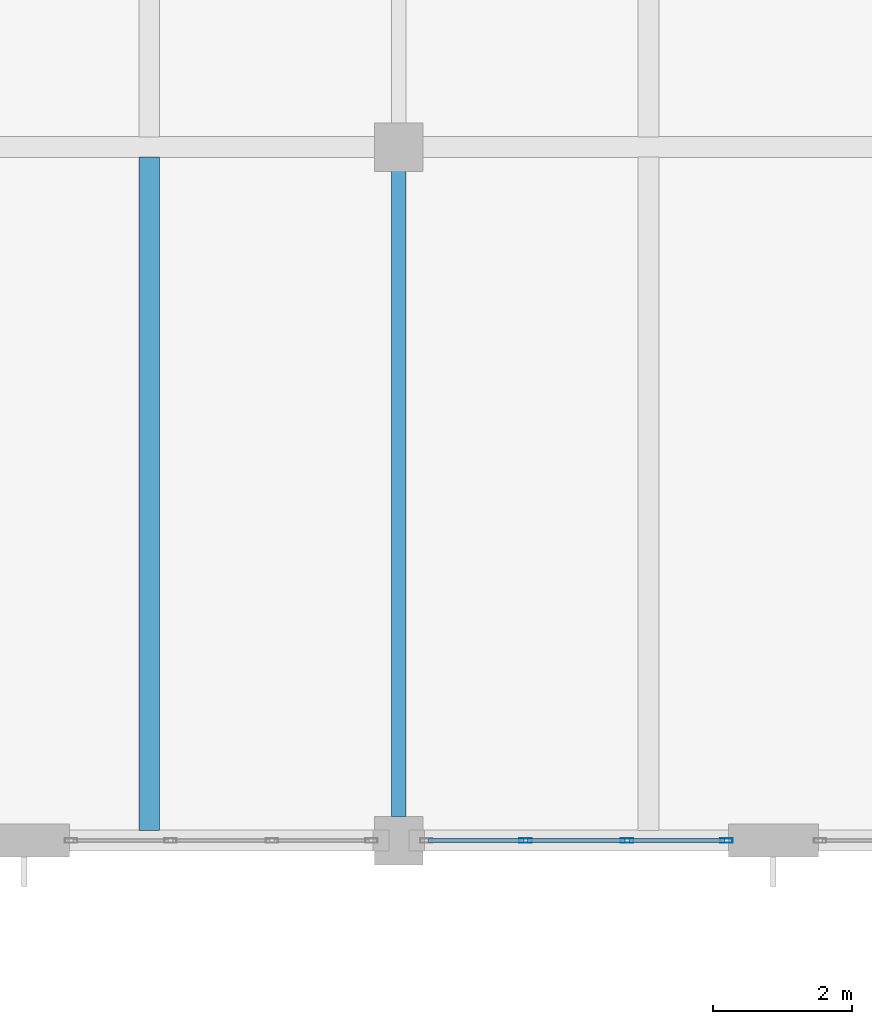
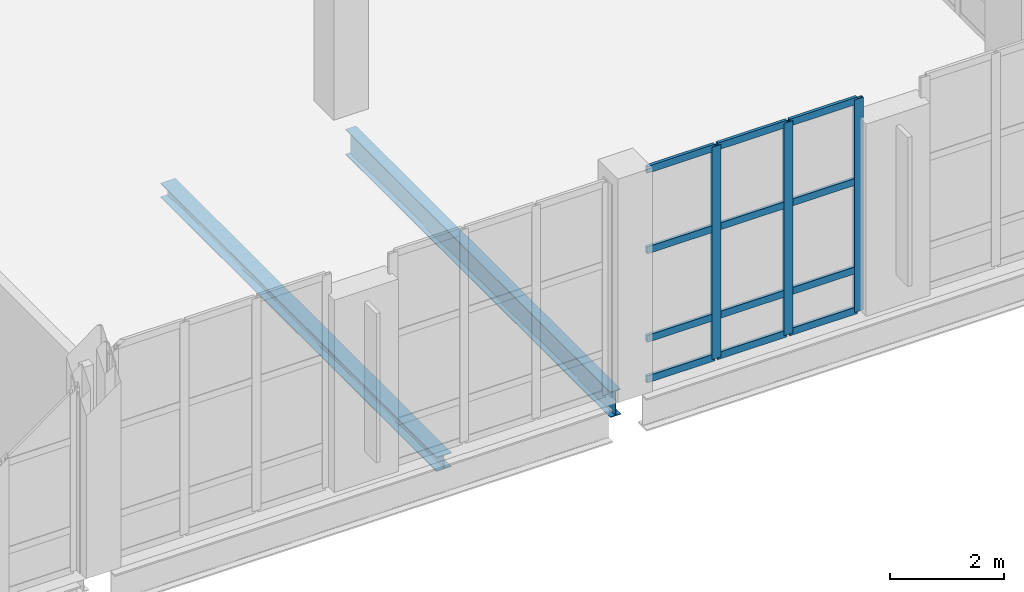
# One storey, part 47 of 92: 15 members, 2 beams, 1 element without a shape of its own.
"""IFC4 building model written with IfcOpenShell, lengths in metres."""

from ifc_helpers import new_model, si_unit, direction, frame, origin, origin_2d, place, context, subcontext, project, spatial, hollow_rectangle, i_section, extrude, material, layer, layer_set, material_profile, profile_set, type_object, element, aggregate, save


model = new_model("IFC4")

# Units and contexts
model_context = context("Model", 3, precision=1e-05, world=origin(), true_north=direction((0.0, 1.0)))
body_context = subcontext(model_context, "Body", "Model", "MODEL_VIEW")
ifc_project = project(units=[si_unit("LENGTHUNIT", "METRE"), si_unit("AREAUNIT", "SQUARE_METRE"), si_unit("VOLUMEUNIT", "CUBIC_METRE"), si_unit("PLANEANGLEUNIT", "RADIAN"), si_unit("MASSUNIT", "GRAM", prefix="KILO")], contexts=[model_context])

# Site, building, storey
site_placement = place(None, origin())
site = spatial("IfcSite", under=ifc_project, at=site_placement, CompositionType="ELEMENT")
building_placement = place(site_placement, origin())
building = spatial("IfcBuilding", under=site, at=building_placement, Name="Tasgan Crest Museum", CompositionType="ELEMENT")
storey_placement = place(building_placement, frame((0.0, 0.0, 4.800048828125)))
storey = spatial("IfcBuildingStorey", under=building, at=storey_placement, Name="L01", CompositionType="ELEMENT", Elevation=4.800048828125)

# Beams
ifc_material_1 = material(Name="Steel S355J2", Category="steel")
ifc_material_profile_1 = material_profile(ifc_material_1, i_section(OverallWidth=0.2099609375, OverallDepth=0.550048828125, WebThickness=0.010986328125, FlangeThickness=0.01708984375, FilletRadius=0.02392578125, at=origin_2d()), Name="IPE 550")
ifc_profile_set_1 = profile_set([ifc_material_profile_1], Name="Steel S355J2")
beam_type_1 = type_object("IfcBeamType", Name="BM-G-IPE550", PredefinedType="BEAM", material=ifc_profile_set_1)
beam_1_placement = place(storey_placement, frame((140.39990234375, 10.344970703125, -0.554931640625), z_axis=(0.0, 1.0, 0.0), x_axis=(-1.0, 0.0, 0.0)))
element("IfcBeam", 1, at=beam_1_placement, inside=storey, type_object=beam_type_1, Name="Beam L01 14 10.0-20.0", PredefinedType="BEAM", context=body_context, shape_type="SweptSolid", body=[
    extrude(i_section(OverallWidth=0.2099609375, OverallDepth=0.550048828125, WebThickness=0.010986328125, FlangeThickness=0.01708984375, FilletRadius=0.02392578125, at=origin_2d()), origin(), (0.0, 0.0, 1.0), 9.31005859375),
])
ifc_material_2 = material(Name="Steel S355J2", Category="steel")
ifc_material_profile_2 = material_profile(ifc_material_2, i_section(OverallWidth=0.300048828125, OverallDepth=0.31005859375, WebThickness=0.009033203125, FlangeThickness=0.015380859375, FilletRadius=0.027099609375, at=origin_2d()), Name="HEA 320")
ifc_profile_set_2 = profile_set([ifc_material_profile_2], Name="Steel S355J2")
beam_type_2 = type_object("IfcBeamType", Name="BM-J-HEA320", PredefinedType="JOIST", material=ifc_profile_set_2)
beam_2_placement = place(storey_placement, frame((136.800048828125, 10.14501953125, -0.43505859375), z_axis=(0.0, 1.0, 0.0), x_axis=(-1.0, 0.0, 0.0)))
element("IfcBeam", 2, at=beam_2_placement, inside=storey, type_object=beam_type_2, Name="Secondary joist L01 X=136.8 Y=10.0-20.0", PredefinedType="JOIST", context=body_context, shape_type="SweptSolid", body=[
    extrude(i_section(OverallWidth=0.300048828125, OverallDepth=0.31005859375, WebThickness=0.009033203125, FlangeThickness=0.015380859375, FilletRadius=0.027099609375, at=origin_2d()), origin(), (0.0, 0.0, 1.0), 9.7099609375),
])

# Curtain wall, members
ifc_material_3 = material(Name="Triple-Glazed Aluminium Curtain Wall", Category="aluminium")
ifc_layer = layer(ifc_material_3, 0.179931640625, Name="CW-PORCH-X")
ifc_layer_set = layer_set([ifc_layer], Name="Triple-Glazed Aluminium Curtain Wall")
curtain_wall_type = type_object("IfcCurtainWallType", Name="CW-PORCH-X", PredefinedType="NOTDEFINED", material=ifc_layer_set)
curtain_wall_placement = place(storey_placement, origin())
curtain_wall = element("IfcCurtainWall", 3, at=curtain_wall_placement, inside=storey, type_object=curtain_wall_type, Name="Curtain wall L01 049", PredefinedType="NOTDEFINED")
ifc_material_4 = material(Name="Anodised Aluminium", Category="aluminium")
ifc_material_profile_3 = material_profile(ifc_material_4, hollow_rectangle(XDim=0.06494140625, YDim=0.179931640625, WallThickness=0.0048828125, at=origin_2d()), Name="ALU MULLION 180x65x5")
ifc_profile_set_3 = profile_set([ifc_material_profile_3], Name="Anodised Aluminium")
member_type_1 = type_object("IfcMemberType", Name="CW-MULLION-180", PredefinedType="MULLION", material=ifc_profile_set_3)
member_1_placement = place(storey_placement, frame((142.228271484375, 10.0, 0.0), z_axis=(0.0, 0.0, 1.0), x_axis=(0.0, 1.0, 0.0)))
member_1 = element("IfcMember", 4, at=member_1_placement, type_object=member_type_1, Name="CW01 mullion 2", PredefinedType="MULLION", context=body_context, shape_type="SweptSolid", body=[
    extrude(hollow_rectangle(XDim=0.06494140625, YDim=0.179931640625, WallThickness=0.0048828125, at=origin_2d()), origin(), (0.0, 0.0, 1.0), 4.56005859375),
])
member_2_placement = place(storey_placement, frame((143.691650390625, 10.0, 0.0), z_axis=(0.0, 0.0, 1.0), x_axis=(0.0, 1.0, 0.0)))
member_2 = element("IfcMember", 5, at=member_2_placement, type_object=member_type_1, Name="CW01 mullion 3", PredefinedType="MULLION", context=body_context, shape_type="SweptSolid", body=[
    extrude(hollow_rectangle(XDim=0.06494140625, YDim=0.179931640625, WallThickness=0.0048828125, at=origin_2d()), origin(), (0.0, 0.0, 1.0), 4.56005859375),
])
member_3_placement = place(storey_placement, frame((145.125, 10.0, 0.0), z_axis=(0.0, 0.0, 1.0), x_axis=(0.0, 1.0, 0.0)))
member_3 = element("IfcMember", 6, at=member_3_placement, type_object=member_type_1, Name="CW01 mullion 4", PredefinedType="MULLION", context=body_context, shape_type="SweptSolid", body=[
    extrude(hollow_rectangle(XDim=0.06494140625, YDim=0.179931640625, WallThickness=0.0048828125, at=origin_2d()), origin(), (0.0, 0.0, 1.0), 4.56005859375),
])
ifc_material_5 = material(Name="Anodised Aluminium", Category="aluminium")
ifc_material_profile_4 = material_profile(ifc_material_5, hollow_rectangle(XDim=0.06005859375, YDim=0.14990234375, WallThickness=0.0048828125, at=origin_2d()), Name="ALU TRANSOM 150x60x5")
ifc_profile_set_4 = profile_set([ifc_material_profile_4], Name="Anodised Aluminium")
member_type_2 = type_object("IfcMemberType", Name="CW-TRANSOM-150", PredefinedType="USERDEFINED", material=ifc_profile_set_4)
member_4_placement = place(storey_placement, frame((140.824951171875, 10.0, 0.030029296875), z_axis=(1.0, 0.0, 0.0), x_axis=(0.0, 1.0, 0.0)))
member_4 = element("IfcMember", 7, at=member_4_placement, type_object=member_type_2, Name="CW01 transom 1.1", ObjectType="TRANSOM", PredefinedType="USERDEFINED", context=body_context, shape_type="SweptSolid", body=[
    extrude(hollow_rectangle(XDim=0.06005859375, YDim=0.14990234375, WallThickness=0.0048828125, at=origin_2d()), origin(), (0.0, 0.0, 1.0), 1.373291015625),
])
member_5_placement = place(storey_placement, frame((140.824951171875, 10.0, 0.89990234375), z_axis=(1.0, 0.0, 0.0), x_axis=(0.0, 1.0, 0.0)))
member_5 = element("IfcMember", 8, at=member_5_placement, type_object=member_type_2, Name="CW01 transom 1.2", ObjectType="TRANSOM", PredefinedType="USERDEFINED", context=body_context, shape_type="SweptSolid", body=[
    extrude(hollow_rectangle(XDim=0.06005859375, YDim=0.14990234375, WallThickness=0.0048828125, at=origin_2d()), origin(), (0.0, 0.0, 1.0), 1.373291015625),
])
member_6_placement = place(storey_placement, frame((140.824951171875, 10.0, 2.800048828125), z_axis=(1.0, 0.0, 0.0), x_axis=(0.0, 1.0, 0.0)))
member_6 = element("IfcMember", 9, at=member_6_placement, type_object=member_type_2, Name="CW01 transom 1.3", ObjectType="TRANSOM", PredefinedType="USERDEFINED", context=body_context, shape_type="SweptSolid", body=[
    extrude(hollow_rectangle(XDim=0.06005859375, YDim=0.14990234375, WallThickness=0.0048828125, at=origin_2d()), origin(), (0.0, 0.0, 1.0), 1.373291015625),
])
member_7_placement = place(storey_placement, frame((140.824951171875, 10.0, 4.530029296875), z_axis=(1.0, 0.0, 0.0), x_axis=(0.0, 1.0, 0.0)))
member_7 = element("IfcMember", 10, at=member_7_placement, type_object=member_type_2, Name="CW01 transom 1.4", ObjectType="TRANSOM", PredefinedType="USERDEFINED", context=body_context, shape_type="SweptSolid", body=[
    extrude(hollow_rectangle(XDim=0.06005859375, YDim=0.14990234375, WallThickness=0.0048828125, at=origin_2d()), origin(), (0.0, 0.0, 1.0), 1.373291015625),
])
member_8_placement = place(storey_placement, frame((142.25830078125, 10.0, 0.030029296875), z_axis=(1.0, 0.0, 0.0), x_axis=(0.0, 1.0, 0.0)))
member_8 = element("IfcMember", 11, at=member_8_placement, type_object=member_type_2, Name="CW01 transom 2.1", ObjectType="TRANSOM", PredefinedType="USERDEFINED", context=body_context, shape_type="SweptSolid", body=[
    extrude(hollow_rectangle(XDim=0.06005859375, YDim=0.14990234375, WallThickness=0.0048828125, at=origin_2d()), origin(), (0.0, 0.0, 1.0), 1.4033203125),
])
member_9_placement = place(storey_placement, frame((142.25830078125, 10.0, 0.89990234375), z_axis=(1.0, 0.0, 0.0), x_axis=(0.0, 1.0, 0.0)))
member_9 = element("IfcMember", 12, at=member_9_placement, type_object=member_type_2, Name="CW01 transom 2.2", ObjectType="TRANSOM", PredefinedType="USERDEFINED", context=body_context, shape_type="SweptSolid", body=[
    extrude(hollow_rectangle(XDim=0.06005859375, YDim=0.14990234375, WallThickness=0.0048828125, at=origin_2d()), origin(), (0.0, 0.0, 1.0), 1.4033203125),
])
member_10_placement = place(storey_placement, frame((142.25830078125, 10.0, 2.800048828125), z_axis=(1.0, 0.0, 0.0), x_axis=(0.0, 1.0, 0.0)))
member_10 = element("IfcMember", 13, at=member_10_placement, type_object=member_type_2, Name="CW01 transom 2.3", ObjectType="TRANSOM", PredefinedType="USERDEFINED", context=body_context, shape_type="SweptSolid", body=[
    extrude(hollow_rectangle(XDim=0.06005859375, YDim=0.14990234375, WallThickness=0.0048828125, at=origin_2d()), origin(), (0.0, 0.0, 1.0), 1.4033203125),
])
member_11_placement = place(storey_placement, frame((142.25830078125, 10.0, 4.530029296875), z_axis=(1.0, 0.0, 0.0), x_axis=(0.0, 1.0, 0.0)))
member_11 = element("IfcMember", 14, at=member_11_placement, type_object=member_type_2, Name="CW01 transom 2.4", ObjectType="TRANSOM", PredefinedType="USERDEFINED", context=body_context, shape_type="SweptSolid", body=[
    extrude(hollow_rectangle(XDim=0.06005859375, YDim=0.14990234375, WallThickness=0.0048828125, at=origin_2d()), origin(), (0.0, 0.0, 1.0), 1.4033203125),
])
member_12_placement = place(storey_placement, frame((143.7216796875, 10.0, 0.030029296875), z_axis=(1.0, 0.0, 0.0), x_axis=(0.0, 1.0, 0.0)))
member_12 = element("IfcMember", 15, at=member_12_placement, type_object=member_type_2, Name="CW01 transom 3.1", ObjectType="TRANSOM", PredefinedType="USERDEFINED", context=body_context, shape_type="SweptSolid", body=[
    extrude(hollow_rectangle(XDim=0.06005859375, YDim=0.14990234375, WallThickness=0.0048828125, at=origin_2d()), origin(), (0.0, 0.0, 1.0), 1.373291015625),
])
member_13_placement = place(storey_placement, frame((143.7216796875, 10.0, 0.89990234375), z_axis=(1.0, 0.0, 0.0), x_axis=(0.0, 1.0, 0.0)))
member_13 = element("IfcMember", 16, at=member_13_placement, type_object=member_type_2, Name="CW01 transom 3.2", ObjectType="TRANSOM", PredefinedType="USERDEFINED", context=body_context, shape_type="SweptSolid", body=[
    extrude(hollow_rectangle(XDim=0.06005859375, YDim=0.14990234375, WallThickness=0.0048828125, at=origin_2d()), origin(), (0.0, 0.0, 1.0), 1.373291015625),
])
member_14_placement = place(storey_placement, frame((143.7216796875, 10.0, 2.800048828125), z_axis=(1.0, 0.0, 0.0), x_axis=(0.0, 1.0, 0.0)))
member_14 = element("IfcMember", 17, at=member_14_placement, type_object=member_type_2, Name="CW01 transom 3.3", ObjectType="TRANSOM", PredefinedType="USERDEFINED", context=body_context, shape_type="SweptSolid", body=[
    extrude(hollow_rectangle(XDim=0.06005859375, YDim=0.14990234375, WallThickness=0.0048828125, at=origin_2d()), origin(), (0.0, 0.0, 1.0), 1.373291015625),
])
member_15_placement = place(storey_placement, frame((143.7216796875, 10.0, 4.530029296875), z_axis=(1.0, 0.0, 0.0), x_axis=(0.0, 1.0, 0.0)))
member_15 = element("IfcMember", 18, at=member_15_placement, type_object=member_type_2, Name="CW01 transom 3.4", ObjectType="TRANSOM", PredefinedType="USERDEFINED", context=body_context, shape_type="SweptSolid", body=[
    extrude(hollow_rectangle(XDim=0.06005859375, YDim=0.14990234375, WallThickness=0.0048828125, at=origin_2d()), origin(), (0.0, 0.0, 1.0), 1.373291015625),
])
aggregate(curtain_wall, [member_1, member_2, member_3, member_4, member_5, member_6, member_7, member_8, member_9, member_10, member_11, member_12, member_13, member_14, member_15])

save(model, "model.ifc")
